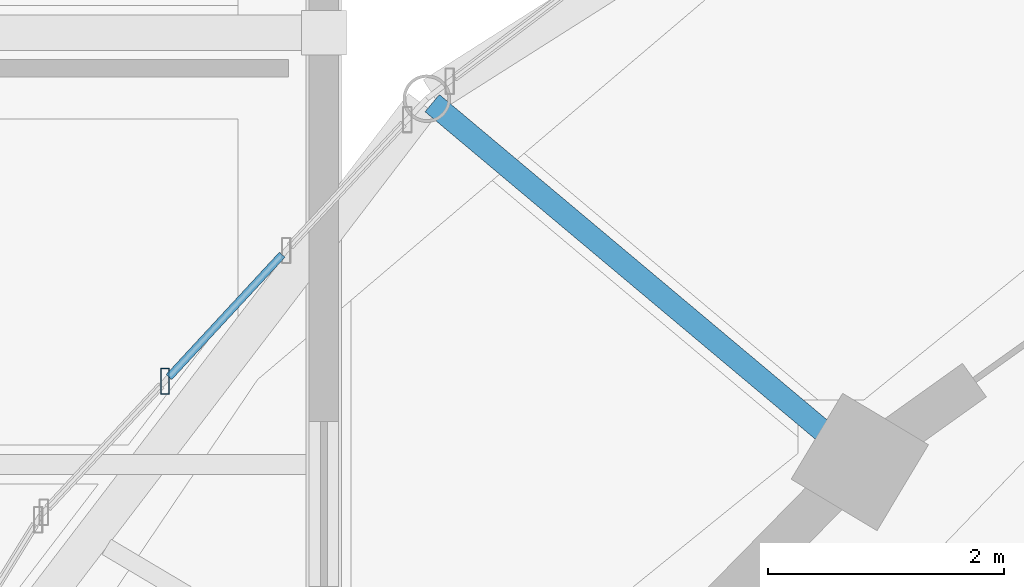
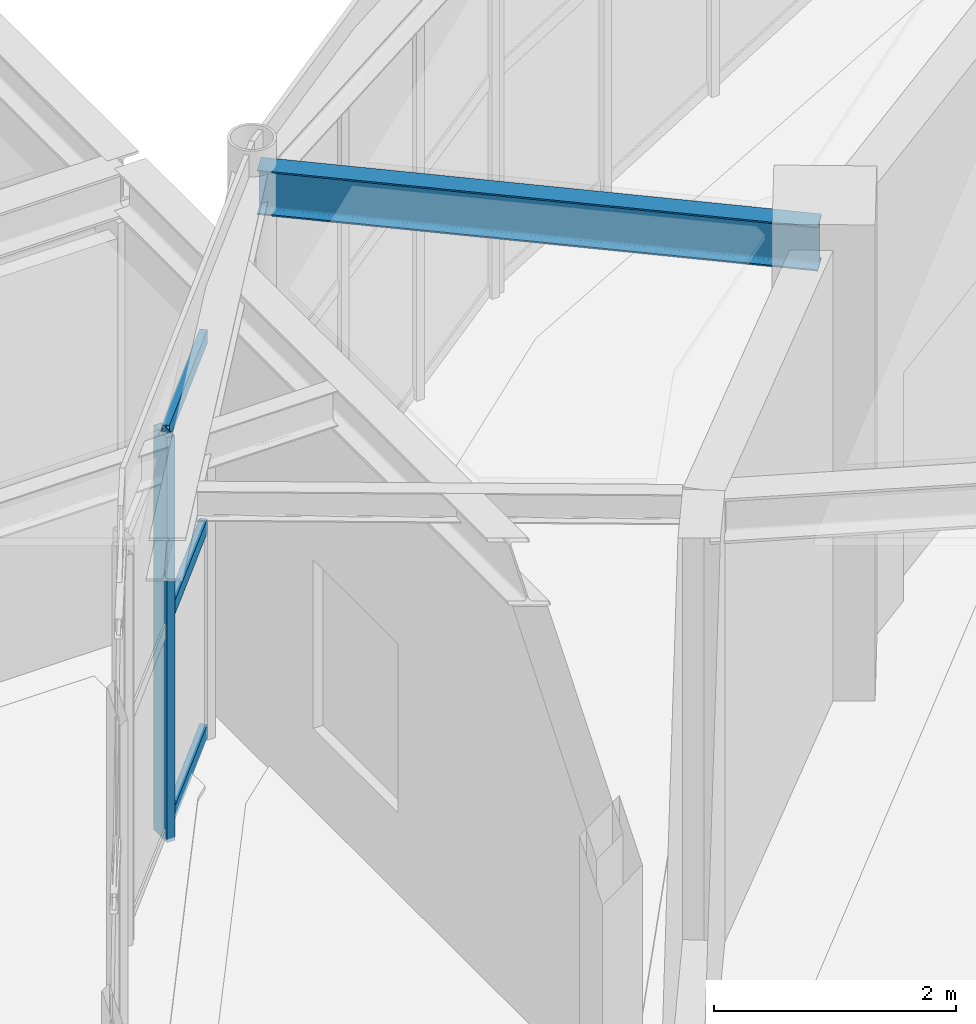
# One storey, part 31 of 100: 4 members, 1 beam, 1 element without a shape of its own.
"""IFC4 building model written with IfcOpenShell, lengths in metres."""

from ifc_helpers import new_model, si_unit, direction, frame, origin, origin_2d, place, context, subcontext, project, spatial, hollow_rectangle, i_section, extrude, material, material_profile, profile_set, type_object, element, aggregate, save


model = new_model("IFC4")

# Units and contexts
model_context = context("Model", 3, precision=1e-05, world=origin(), true_north=direction((0.0, 1.0)))
body_context = subcontext(model_context, "Body", "Model", "MODEL_VIEW")
ifc_project = project(units=[si_unit("LENGTHUNIT", "METRE"), si_unit("AREAUNIT", "SQUARE_METRE"), si_unit("VOLUMEUNIT", "CUBIC_METRE"), si_unit("PLANEANGLEUNIT", "RADIAN"), si_unit("MASSUNIT", "GRAM", prefix="KILO")], contexts=[model_context])

# Site, building, storey
site_placement = place(None, origin())
site = spatial("IfcSite", under=ifc_project, at=site_placement, CompositionType="ELEMENT")
building_placement = place(site_placement, origin())
building = spatial("IfcBuilding", under=site, at=building_placement, Name="Tarnveldt Headland Concert Hall", CompositionType="ELEMENT")
storey_placement = place(building_placement, frame((0.0, 0.0, 4.800048828125)))
storey = spatial("IfcBuildingStorey", under=building, at=storey_placement, Name="L01", CompositionType="ELEMENT", Elevation=4.800048828125)

# Curtain wall, member
ifc_material_1 = material(Name="Marine-anodised aluminium EN AW-6063-T6", Category="aluminium")
curtain_wall_type = type_object("IfcCurtainWallType", Name="CW-F2", PredefinedType="NOTDEFINED", material=ifc_material_1)
curtain_wall_placement = place(storey_placement, origin())
curtain_wall = element("IfcCurtainWall", 1, at=curtain_wall_placement, inside=storey, type_object=curtain_wall_type, Name="Curtain wall CW-L01-041", PredefinedType="NOTDEFINED")
ifc_material_profile_1 = material_profile(ifc_material_1, hollow_rectangle(XDim=0.074951171875, YDim=0.219970703125, WallThickness=0.0048828125, at=origin_2d()), Name="ALU MULLION 75x220x5", Category="aluminium")
ifc_profile_set_1 = profile_set([ifc_material_profile_1], Name="Marine-anodised aluminium EN AW-6063-T6")
member_type_1 = type_object("IfcMemberType", Name="ML-200", PredefinedType="MULLION", material=ifc_profile_set_1)
member_1_placement = place(storey_placement, frame((56.150634765625, 68.040283203125, 0.0), z_axis=(0.0, 0.0, 1.0), x_axis=(1.0, 0.0, 0.0)))
member_1 = element("IfcMember", 2, at=member_1_placement, type_object=member_type_1, Name="Mullion CW-L01-041-3", PredefinedType="MULLION", context=body_context, shape_type="SweptSolid", body=[
    extrude(hollow_rectangle(XDim=0.074951171875, YDim=0.219970703125, WallThickness=0.0048828125, at=origin_2d()), origin(), (0.0, 0.0, 1.0), 4.077880859375),
])

# Beam
ifc_material_2 = material(Name="Steel S355", Category="steel")
ifc_material_profile_2 = material_profile(ifc_material_2, i_section(OverallWidth=0.18994140625, OverallDepth=0.449951171875, WebThickness=0.009521484375, FlangeThickness=0.0146484375, FilletRadius=0.02099609375, at=origin_2d()), Name="IPE450", Category="steel")
ifc_profile_set_2 = profile_set([ifc_material_profile_2], Name="Steel S355")
beam_type = type_object("IfcBeamType", Name="SB-IPE450", PredefinedType="BEAM", material=ifc_profile_set_2)
beam_placement = place(storey_placement, frame((62.020263671875, 67.381591796875, 4.31494140625), z_axis=(-0.76607107782, 0.642755866351, 0.0), x_axis=(-0.642755866351, -0.76607107782, 0.0)))
element("IfcBeam", 3, at=beam_placement, inside=storey, type_object=beam_type, Name="Framing beam L01-700", PredefinedType="BEAM", context=body_context, shape_type="SweptSolid", body=[
    extrude(i_section(OverallWidth=0.18994140625, OverallDepth=0.449951171875, WebThickness=0.009521484375, FlangeThickness=0.0146484375, FilletRadius=0.02099609375, at=origin_2d()), origin(), (0.0, 0.0, 1.0), 4.699951171875),
])

# Member
ifc_material_profile_3 = material_profile(ifc_material_1, hollow_rectangle(XDim=0.06494140625, YDim=0.139892578125, WallThickness=0.00390625, at=origin_2d()), Name="ALU TRANSOM 65x140x4", Category="aluminium")
ifc_profile_set_3 = profile_set([ifc_material_profile_3], Name="Marine-anodised aluminium EN AW-6063-T6")
member_type_2 = type_object("IfcMemberType", Name="TR-140", PredefinedType="MEMBER", material=ifc_profile_set_3)
member_2_placement = place(storey_placement, frame((57.14599609375, 69.115234375, 0.050048828125), z_axis=(-0.679597183655, -0.733585487839, 0.0), x_axis=(0.733585487839, -0.679597183655, 0.0)))
member_2 = element("IfcMember", 4, at=member_2_placement, type_object=member_type_2, Name="Transom CW-L01-041-2-1", PredefinedType="MEMBER", context=body_context, shape_type="SweptSolid", body=[
    extrude(hollow_rectangle(XDim=0.06494140625, YDim=0.139892578125, WallThickness=0.00390625, at=origin_2d()), origin(), (0.0, 0.0, 1.0), 1.41552734375),
])

member_3_placement = place(storey_placement, frame((57.14599609375, 69.115234375, 2.12060546875), z_axis=(-0.679597183655, -0.733585487839, 0.0), x_axis=(0.733585487839, -0.679597183655, 0.0)))
member_3 = element("IfcMember", 5, at=member_3_placement, type_object=member_type_2, Name="Transom CW-L01-041-2-2", PredefinedType="MEMBER", context=body_context, shape_type="SweptSolid", body=[
    extrude(hollow_rectangle(XDim=0.06494140625, YDim=0.139892578125, WallThickness=0.00390625, at=origin_2d()), origin(), (0.0, 0.0, 1.0), 1.41552734375),
])

member_4_placement = place(storey_placement, frame((57.14599609375, 69.115234375, 4.02783203125), z_axis=(-0.679597183655, -0.733585487839, 0.0), x_axis=(0.733585487839, -0.679597183655, 0.0)))
member_4 = element("IfcMember", 6, at=member_4_placement, type_object=member_type_2, Name="Transom CW-L01-041-2-3", PredefinedType="MEMBER", context=body_context, shape_type="SweptSolid", body=[
    extrude(hollow_rectangle(XDim=0.06494140625, YDim=0.139892578125, WallThickness=0.00390625, at=origin_2d()), origin(), (0.0, 0.0, 1.0), 1.41552734375),
])

aggregate(curtain_wall, [member_1, member_2, member_3, member_4])

save(model, "model.ifc")
